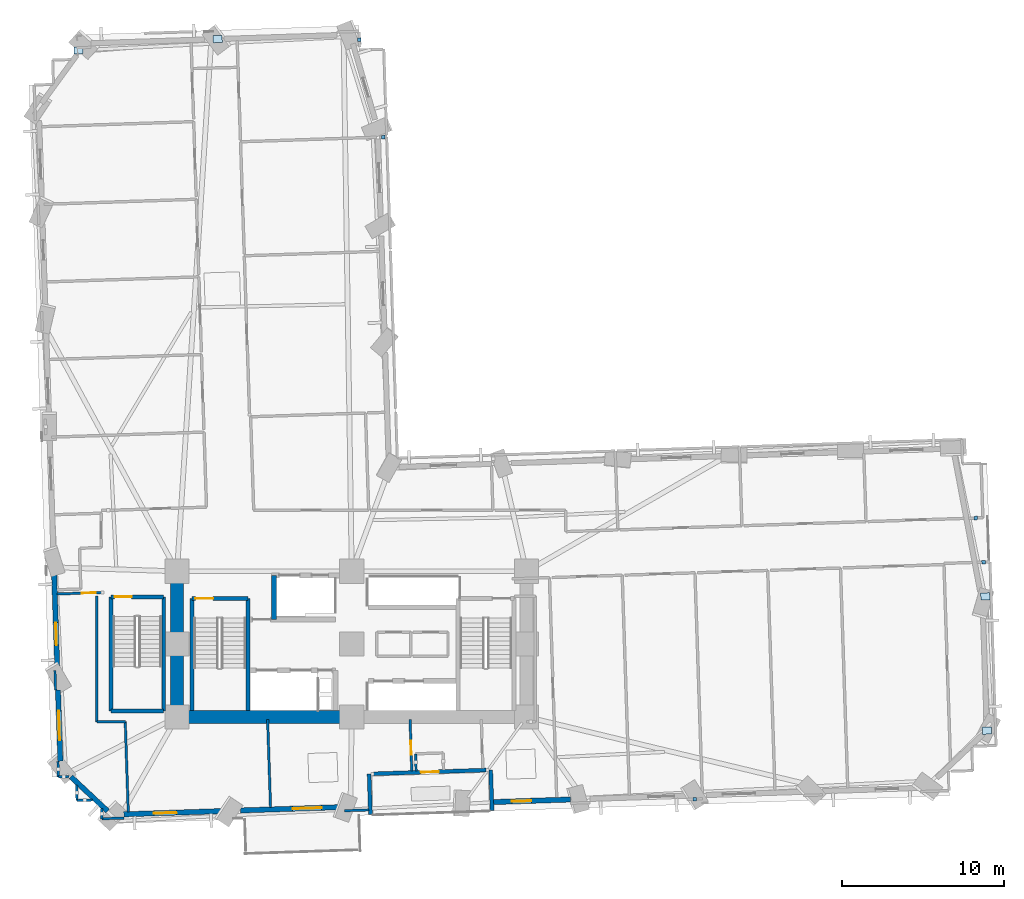
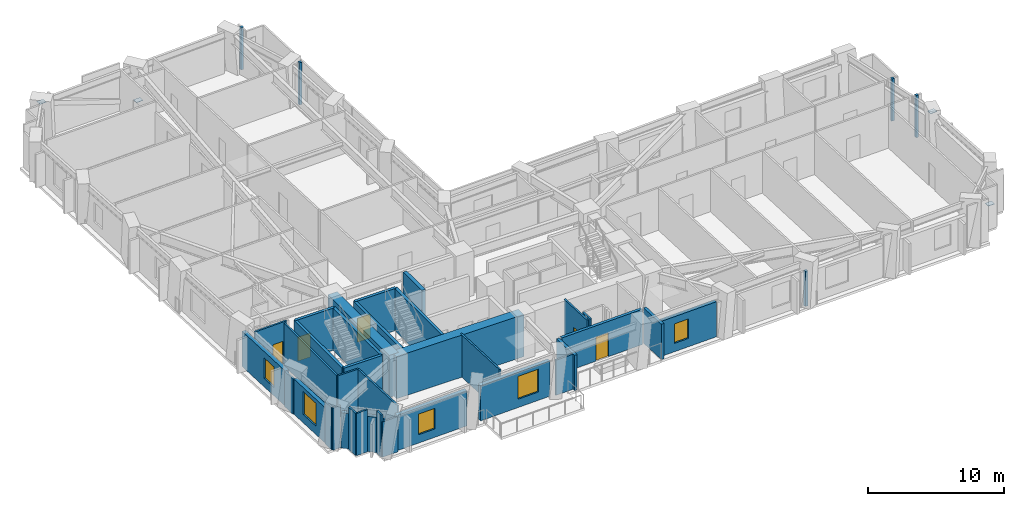
# One storey, part 5 of 14: 34 walls, 9 plates, 5 doors, 5 windows, 10 openings.
"""IFC4 building model written with IfcOpenShell, lengths in metres."""

from ifc_helpers import new_model, si_unit, direction, frame, frame_2d, origin, origin_2d, place, context, subcontext, project, spatial, rectangle, extrude, material, layer, layer_set, type_object, element, fill, save


model = new_model("IFC4")

# Units and contexts
model_context = context("Model", 3, precision=1e-05, world=origin(), true_north=direction((0.0, 1.0)))
body_context = subcontext(model_context, "Body", "Model", "MODEL_VIEW")
ifc_project = project(units=[si_unit("LENGTHUNIT", "METRE"), si_unit("AREAUNIT", "SQUARE_METRE"), si_unit("VOLUMEUNIT", "CUBIC_METRE"), si_unit("PLANEANGLEUNIT", "RADIAN"), si_unit("MASSUNIT", "GRAM", prefix="KILO")], contexts=[model_context])

# Site, building, storey
site_placement = place(None, origin())
site = spatial("IfcSite", under=ifc_project, at=site_placement, CompositionType="ELEMENT")
building_placement = place(site_placement, origin())
building = spatial("IfcBuilding", under=site, at=building_placement, Name="Gaonmaruhae Medical Tower", CompositionType="ELEMENT")
storey_placement = place(building_placement, frame((0.0, 0.0, 31.0)))
storey = spatial("IfcBuildingStorey", under=building, at=storey_placement, Name="L06", CompositionType="ELEMENT", Elevation=31.0)

# Plates
ifc_material_1 = material(Name="Steel HSA650 (650 MPa)", Category="steel")
ifc_layer_1 = layer(ifc_material_1, 0.028076171875)
ifc_layer_set_1 = layer_set([ifc_layer_1], Name="Steel HSA650 (650 MPa)")
plate_type_1 = type_object("IfcPlateType", Name="GP-02 Tube Brace End Cap Gusset Plate", PredefinedType="USERDEFINED", material=ifc_layer_set_1)
for number, where, z_axis, x_axis, name in (
    (1, (64.05859375, 6.949951171875, 0.23583984375), (0.0, 0.0, 1.0), (0.999450215942, 0.033155178389, 0.0), "L06 Gusset Cap Plate PLT-L06-PBR-E01A"),
    (2, (63.96240234375, 15.247802734375, 3.51611328125), (0.0, 0.0, 1.0), (0.998763127564, 0.049721373869, 0.0), "L06 Gusset Cap Plate PLT-L06-PBR-E01B"),
    (3, (16.51513671875, 49.697265625, 0.23583984375), (0.0, 0.0, 1.0), (0.999450215942, 0.033155178389, 0.0), "L06 Gusset Cap Plate PLT-L06-PBR-N02A"),
    (4, (7.914794921875, 49.0029296875, 3.51611328125), (0.0, 0.0, 1.0), (0.998763127564, 0.049721373869, 0.0), "L06 Gusset Cap Plate PLT-L06-PBR-N02B"),
):
    element("IfcPlate", number, at=place(storey_placement, frame(where, z_axis=z_axis, x_axis=x_axis)), inside=storey, type_object=plate_type_1, Name=name, ObjectType="GUSSET_PLATE", PredefinedType="USERDEFINED", context=body_context, shape_type="SweptSolid", body=[
        extrude(rectangle(XDim=0.56005859375, YDim=0.43994140625, at=origin_2d()), origin(), (0.0, 0.0, 1.0), 0.028076171875),
    ])
ifc_material_2 = material(Name="Anodised aluminium 6063-T6", Category="aluminium")
ifc_layer_2 = layer(ifc_material_2, 0.011962890625)
ifc_layer_set_2 = layer_set([ifc_layer_2], Name="Anodised aluminium 6063-T6")
plate_type_2 = type_object("IfcPlateType", Name="PP-01 Interior Partition Corner Stiffener Plate", PredefinedType="SHEET", material=ifc_layer_set_2)
plate_placement = place(storey_placement, frame((46.0009765625, 2.718994140625, 0.0), z_axis=(0.0, 0.0, 1.0), x_axis=(-0.999440334609, -0.033451719773, 0.0)))
element("IfcPlate", 5, at=plate_placement, inside=storey, type_object=plate_type_2, Name="L06 Partition Corner Stiffener Plate PLT-L06-JGP-PW039", PredefinedType="SHEET", context=body_context, shape_type="SweptSolid", body=[
    extrude(rectangle(XDim=0.219970703125, YDim=0.219970703125, at=origin_2d()), origin(), (0.0, 0.0, 1.0), 3.1650390625),
])
for number, where, z_axis, x_axis, name in (
    (6, (63.37109375, 20.094482421875, 0.0), (0.0, 0.0, 1.0), (-0.999460009288, -0.032858634085, 0.0), "L06 Partition Corner Stiffener Plate PLT-L06-JGP-PW098"),
    (7, (26.740478515625, 43.6435546875, 0.0), (0.0, 0.0, 1.0), (0.99947085067, 0.032527198794, 0.0), "L06 Partition Corner Stiffener Plate PLT-L06-JGP-PW107"),
    (8, (25.27099609375, 49.6689453125, 0.0), (0.0, 0.0, 1.0), (0.032736526765, -0.999464016268, 0.0), "L06 Partition Corner Stiffener Plate PLT-L06-JGP-PW112"),
    (9, (63.85400390625, 17.369384765625, 0.0), (0.0, 0.0, 1.0), (0.99945598739, 0.032980740915, 0.0), "L06 Partition Corner Stiffener Plate PLT-L06-JGP-PW121"),
):
    element("IfcPlate", number, at=place(storey_placement, frame(where, z_axis=z_axis, x_axis=x_axis)), inside=storey, type_object=plate_type_2, Name=name, PredefinedType="SHEET", context=body_context, shape_type="SweptSolid", body=[
        extrude(rectangle(XDim=0.219970703125, YDim=0.219970703125, at=origin_2d()), origin(), (0.0, 0.0, 1.0), 3.780029296875),
    ])

# Walls
ifc_material_3 = material(Name="Concrete C60/75", Category="concrete")
ifc_layer_3 = layer(ifc_material_3, 0.800048828125)
ifc_layer_set_3 = layer_set([ifc_layer_3], Name="Concrete C60/75")
wall_type_1 = type_object("IfcWallType", Name="CW-800 Lower Core Shear Wall", PredefinedType="SHEAR", material=ifc_layer_set_3)
wall_1_placement = place(storey_placement, frame((14.0, 7.800048828125, 0.0), z_axis=(0.0, 0.0, 1.0), x_axis=(1.0, 0.0, 0.0)))
element("IfcWall", 10, at=wall_1_placement, inside=storey, type_object=wall_type_1, Name="L06 Core Shear Wall CSW-S1", PredefinedType="SHEAR", context=body_context, shape_type="SweptSolid", body=[
    extrude(rectangle(XDim=10.800048828125, YDim=0.800048828125, at=frame_2d((5.39990234375, 0.0))), origin(), (0.0, 0.0, 1.0), 3.780029296875),
])
wall_2_placement = place(storey_placement, frame((14.0, 16.800048828125, 0.0), z_axis=(0.0, 0.0, 1.0), x_axis=(0.0, -1.0, 0.0)))
element("IfcWall", 11, at=wall_2_placement, inside=storey, type_object=wall_type_1, Name="L06 Core Shear Wall CSW-W1", PredefinedType="SHEAR", context=body_context, shape_type="SweptSolid", body=[
    extrude(rectangle(XDim=9.0, YDim=0.800048828125, at=frame_2d((4.5, 0.0))), origin(), (0.0, 0.0, 1.0), 3.780029296875),
])

# Wall, opening, door
ifc_material_4 = material(Name="Precast concrete C45/55", Category="concrete")
ifc_layer_4 = layer(ifc_material_4, 0.239990234375)
ifc_layer_set_4 = layer_set([ifc_layer_4], Name="Precast concrete C45/55")
wall_type_2 = type_object("IfcWallType", Name="EW-240 Ribbon & Shelter Insulated Precast Wall", PredefinedType="SOLIDWALL", material=ifc_layer_set_4)
wall_3_placement = place(storey_placement, frame((33.1103515625, 4.5126953125, 0.0), z_axis=(0.0, 0.0, 1.0), x_axis=(-0.999450421649, -0.033148976852, 0.0)))
wall_3 = element("IfcWall", 12, at=wall_3_placement, inside=storey, type_object=wall_type_2, Name="L06 Recessed Terrace Enclosure Wall TERB", PredefinedType="SOLIDWALL", context=body_context, shape_type="SweptSolid", body=[
    extrude(rectangle(XDim=6.9599609375, YDim=0.239990234375, at=frame_2d((3.47998046875, 0.0))), origin(), (0.0, 0.0, 1.0), 3.1650390625),
])
opening_1_placement = place(wall_3_placement, frame((2.929931640625, 0.0, 0.0)))
opening_1 = element("IfcOpeningElement", 13, at=opening_1_placement, cuts=wall_3, Name="Opening TD-01", PredefinedType="OPENING", context=body_context, shape_type="SweptSolid", body=[
    extrude(rectangle(XDim=1.10009765625, YDim=2.14990234375, at=frame_2d((0.550048828125, 1.074951171875))), frame((0.0, 0.1298828125, 0.0), z_axis=(0.0, -1.0, 0.0), x_axis=(1.0, 0.0, 0.0)), (0.0, 0.0, 1.0), 0.260009765625),
])
ifc_material_5 = material(Name="Anodised aluminium and toughened safety glass", Category="aluminium")
door_type_1 = type_object("IfcDoorType", Name="TD-01 Terrace & Sky Garden Glazed Door 1100x2150", OperationType="NOTDEFINED", PredefinedType="DOOR", material=ifc_material_5)
door_1_placement = place(opening_1_placement, origin())
door_1 = element("IfcDoor", 14, at=door_1_placement, inside=storey, type_object=door_type_1, Name="L06 Outdoor Terrace Access Door SLB-L06-TER", OperationType="SINGLE_SWING_RIGHT", OverallHeight=2.14990234375, OverallWidth=1.10009765625, PredefinedType="DOOR", context=body_context, shape_type="SweptSolid", body=[
    extrude(rectangle(XDim=1.10009765625, YDim=2.14990234375, at=frame_2d((0.550048828125, 1.074951171875))), frame((0.0, 0.02490234375, 0.0), z_axis=(0.0, -1.0, 0.0), x_axis=(1.0, 0.0, 0.0)), (0.0, 0.0, 1.0), 0.050048828125),
])
fill(opening_1, door_1)

# Walls
for number, where, z_axis, x_axis, name in (
    (15, (25.874267578125, 4.272705078125, 0.0), (0.0, 0.0, 1.0), (0.033201031352, -0.999448693789, 0.0), "L06 Recessed Terrace Enclosure Wall TERL"),
    (16, (33.47314453125, 2.023193359375, 0.0), (0.0, 0.0, 1.0), (-0.033201031352, 0.999448693789, 0.0), "L06 Recessed Terrace Enclosure Wall TERR"),
):
    element("IfcWall", number, at=place(storey_placement, frame(where, z_axis=z_axis, x_axis=x_axis)), inside=storey, type_object=wall_type_2, Name=name, PredefinedType="SOLIDWALL", context=body_context, shape_type="SweptSolid", body=[
        extrude(rectangle(XDim=2.500244140625, YDim=0.239990234375, at=frame_2d((1.25, 0.0))), origin(), (0.0, 0.0, 1.0), 3.1650390625),
    ])

# Wall, opening, window
ifc_layer_5 = layer(ifc_material_4, 0.320068359375)
ifc_layer_set_5 = layer_set([ifc_layer_5], Name="Precast concrete C45/55")
wall_type_3 = type_object("IfcWallType", Name="EW-320 Lower Precast Masonry-Frame Facade Wall", PredefinedType="SOLIDWALL", material=ifc_layer_set_5)
wall_4_placement = place(storey_placement, frame((16.74169921875, 1.978515625, 0.0), z_axis=(0.0, 0.0, 1.0), x_axis=(-0.999449522474, -0.033176076121, 0.0)))
wall_4 = element("IfcWall", 17, at=wall_4_placement, inside=storey, type_object=wall_type_3, Name="L06 Precast Masonry-Frame Wall S01-S02", PredefinedType="SOLIDWALL", context=body_context, shape_type="SweptSolid", body=[
    extrude(rectangle(XDim=6.034423828125, YDim=0.320068359375, at=frame_2d((3.01708984375, 0.0))), origin(), (0.0, 0.0, 1.0), 3.1650390625),
])
opening_2_placement = place(wall_4_placement, frame((2.7744140625, 0.0, 0.75)))
opening_2 = element("IfcOpeningElement", 18, at=opening_2_placement, cuts=wall_4, Name="Opening WN-03", PredefinedType="OPENING", context=body_context, shape_type="SweptSolid", body=[
    extrude(rectangle(XDim=1.39990234375, YDim=1.85009765625, at=frame_2d((0.699951171875, 0.925048828125))), frame((0.0, 0.169921875, 0.0), z_axis=(0.0, -1.0, 0.0), x_axis=(1.0, 0.0, 0.0)), (0.0, 0.0, 1.0), 0.340087890625),
])
ifc_material_6 = material(Name="Anodised aluminium and Low-E double glazing", Category="aluminium")
window_type_1 = type_object("IfcWindowType", Name="WN-03 Isolation Ward Punched Window 1400x1850", PartitioningType="SINGLE_PANEL", PredefinedType="WINDOW", material=ifc_material_6)
window_1_placement = place(opening_2_placement, origin())
window_1 = element("IfcWindow", 19, at=window_1_placement, inside=storey, type_object=window_type_1, Name="L06 Modular Facade Window S01", OverallHeight=1.85009765625, OverallWidth=1.39990234375, PartitioningType="SINGLE_PANEL", PredefinedType="WINDOW", context=body_context, shape_type="SweptSolid", body=[
    extrude(rectangle(XDim=1.39990234375, YDim=1.85009765625, at=frame_2d((0.699951171875, 0.925048828125))), frame((0.0, 0.030029296875, 0.0), z_axis=(0.0, -1.0, 0.0), x_axis=(1.0, 0.0, 0.0)), (0.0, 0.0, 1.0), 0.06005859375),
])
fill(opening_2, window_1)

wall_5_placement = place(storey_placement, frame((23.92626953125, 2.216796875, 0.0), z_axis=(0.0, 0.0, 1.0), x_axis=(-0.999449723899, -0.033170007512, 0.0)))
wall_5 = element("IfcWall", 20, at=wall_5_placement, inside=storey, type_object=wall_type_3, Name="L06 Precast Masonry-Frame Wall S02-S03", PredefinedType="SOLIDWALL", context=body_context, shape_type="SweptSolid", body=[
    extrude(rectangle(XDim=6.006103515625, YDim=0.320068359375, at=frame_2d((3.0029296875, 0.0))), origin(), (0.0, 0.0, 1.0), 3.1650390625),
])
opening_3_placement = place(wall_5_placement, frame((0.987548828125, 0.0, 0.75)))
opening_3 = element("IfcOpeningElement", 21, at=opening_3_placement, cuts=wall_5, Name="Opening WN-04", PredefinedType="OPENING", context=body_context, shape_type="SweptSolid", body=[
    extrude(rectangle(XDim=1.800048828125, YDim=2.050048828125, at=frame_2d((0.89990234375, 1.02490234375))), frame((0.0, 0.169921875, 0.0), z_axis=(0.0, -1.0, 0.0), x_axis=(1.0, 0.0, 0.0)), (0.0, 0.0, 1.0), 0.340087890625),
])
window_type_2 = type_object("IfcWindowType", Name="WN-04 Clinic & Consult Punched Window 1800x2050", PartitioningType="SINGLE_PANEL", PredefinedType="WINDOW", material=ifc_material_6)
window_2_placement = place(opening_3_placement, origin())
window_2 = element("IfcWindow", 22, at=window_2_placement, inside=storey, type_object=window_type_2, Name="L06 Modular Facade Window S02", OverallHeight=2.050048828125, OverallWidth=1.800048828125, PartitioningType="SINGLE_PANEL", PredefinedType="WINDOW", context=body_context, shape_type="SweptSolid", body=[
    extrude(rectangle(XDim=1.800048828125, YDim=2.050048828125, at=frame_2d((0.89990234375, 1.02490234375))), frame((0.0, 0.030029296875, 0.0), z_axis=(0.0, -1.0, 0.0), x_axis=(1.0, 0.0, 0.0)), (0.0, 0.0, 1.0), 0.06005859375),
])
fill(opening_3, window_2)

wall_6_placement = place(storey_placement, frame((38.31298828125, 2.694091796875, 0.0), z_axis=(0.0, 0.0, 1.0), x_axis=(-0.999450547825, -0.033145172375, 0.0)))
wall_6 = element("IfcWall", 23, at=wall_6_placement, inside=storey, type_object=wall_type_3, Name="L06 Precast Masonry-Frame Wall S04-S05", PredefinedType="SOLIDWALL", context=body_context, shape_type="SweptSolid", body=[
    extrude(rectangle(XDim=4.83935546875, YDim=0.320068359375, at=frame_2d((2.419677734375, 0.0))), origin(), (0.0, 0.0, 1.0), 3.14501953125),
])
opening_4_placement = place(wall_6_placement, frame((2.41845703125, 0.0, 0.75)))
opening_4 = element("IfcOpeningElement", 24, at=opening_4_placement, cuts=wall_6, Name="Opening WN-05", PredefinedType="OPENING", context=body_context, shape_type="SweptSolid", body=[
    extrude(rectangle(XDim=1.199951171875, YDim=1.75, at=frame_2d((0.60009765625, 0.875))), frame((0.0, 0.169921875, 0.0), z_axis=(0.0, -1.0, 0.0), x_axis=(1.0, 0.0, 0.0)), (0.0, 0.0, 1.0), 0.340087890625),
])
window_type_3 = type_object("IfcWindowType", Name="WN-05 Support & Staff Punched Window 1200x1750", PartitioningType="SINGLE_PANEL", PredefinedType="WINDOW", material=ifc_material_6)
window_3_placement = place(opening_4_placement, origin())
window_3 = element("IfcWindow", 25, at=window_3_placement, inside=storey, type_object=window_type_3, Name="L06 Modular Facade Window S04", OverallHeight=1.75, OverallWidth=1.199951171875, PartitioningType="SINGLE_PANEL", PredefinedType="WINDOW", context=body_context, shape_type="SweptSolid", body=[
    extrude(rectangle(XDim=1.199951171875, YDim=1.75, at=frame_2d((0.60009765625, 0.875))), frame((0.0, 0.030029296875, 0.0), z_axis=(0.0, -1.0, 0.0), x_axis=(1.0, 0.0, 0.0)), (0.0, 0.0, 1.0), 0.06005859375),
])
fill(opening_4, window_3)

wall_7_placement = place(storey_placement, frame((6.603759765625, 10.66748046875, 0.0), z_axis=(0.0, 0.0, 1.0), x_axis=(-0.033177928016, 0.999449461, 0.0)))
wall_7 = element("IfcWall", 26, at=wall_7_placement, inside=storey, type_object=wall_type_3, Name="L06 Precast Masonry-Frame Wall W05-W06", PredefinedType="SOLIDWALL", context=body_context, shape_type="SweptSolid", body=[
    extrude(rectangle(XDim=5.997314453125, YDim=0.320068359375, at=frame_2d((2.99853515625, 0.0))), origin(), (0.0, 0.0, 1.0), 3.1650390625),
])
opening_5_placement = place(wall_7_placement, frame((1.562255859375, 0.0, 0.75)))
opening_5 = element("IfcOpeningElement", 27, at=opening_5_placement, cuts=wall_7, Name="Opening WN-03", PredefinedType="OPENING", context=body_context, shape_type="SweptSolid", body=[
    extrude(rectangle(XDim=1.39990234375, YDim=1.85009765625, at=frame_2d((0.699951171875, 0.925048828125))), frame((0.0, 0.169921875, 0.0), z_axis=(0.0, -1.0, 0.0), x_axis=(1.0, 0.0, 0.0)), (0.0, 0.0, 1.0), 0.340087890625),
])
window_4_placement = place(opening_5_placement, origin())
window_4 = element("IfcWindow", 28, at=window_4_placement, inside=storey, type_object=window_type_1, Name="L06 Modular Facade Window W05", OverallHeight=1.85009765625, OverallWidth=1.39990234375, PartitioningType="SINGLE_PANEL", PredefinedType="WINDOW", context=body_context, shape_type="SweptSolid", body=[
    extrude(rectangle(XDim=1.39990234375, YDim=1.85009765625, at=frame_2d((0.699951171875, 0.925048828125))), frame((0.0, 0.030029296875, 0.0), z_axis=(0.0, -1.0, 0.0), x_axis=(1.0, 0.0, 0.0)), (0.0, 0.0, 1.0), 0.06005859375),
])
fill(opening_5, window_4)

wall_8_placement = place(storey_placement, frame((6.789794921875, 5.060302734375, 0.0), z_axis=(0.0, 0.0, 1.0), x_axis=(-0.033169414577, 0.999449743577, 0.0)))
wall_8 = element("IfcWall", 29, at=wall_8_placement, inside=storey, type_object=wall_type_3, Name="L06 Precast Masonry-Frame Wall W06-W07", PredefinedType="SOLIDWALL", context=body_context, shape_type="SweptSolid", body=[
    extrude(rectangle(XDim=4.416259765625, YDim=0.320068359375, at=frame_2d((2.2080078125, 0.0))), origin(), (0.0, 0.0, 1.0), 3.1650390625),
])
opening_6_placement = place(wall_8_placement, frame((1.310546875, 0.0, 0.75)))
opening_6 = element("IfcOpeningElement", 30, at=opening_6_placement, cuts=wall_8, Name="Opening WN-04", PredefinedType="OPENING", context=body_context, shape_type="SweptSolid", body=[
    extrude(rectangle(XDim=1.800048828125, YDim=2.050048828125, at=frame_2d((0.89990234375, 1.02490234375))), frame((0.0, 0.169921875, 0.0), z_axis=(0.0, -1.0, 0.0), x_axis=(1.0, 0.0, 0.0)), (0.0, 0.0, 1.0), 0.340087890625),
])
window_5_placement = place(opening_6_placement, origin())
window_5 = element("IfcWindow", 31, at=window_5_placement, inside=storey, type_object=window_type_2, Name="L06 Modular Facade Window W06", OverallHeight=2.050048828125, OverallWidth=1.800048828125, PartitioningType="SINGLE_PANEL", PredefinedType="WINDOW", context=body_context, shape_type="SweptSolid", body=[
    extrude(rectangle(XDim=1.800048828125, YDim=2.050048828125, at=frame_2d((0.89990234375, 1.02490234375))), frame((0.0, 0.030029296875, 0.0), z_axis=(0.0, -1.0, 0.0), x_axis=(1.0, 0.0, 0.0)), (0.0, 0.0, 1.0), 0.06005859375),
])
fill(opening_6, window_5)

# Wall
wall_9_placement = place(storey_placement, frame((9.70703125, 1.981689453125, 0.0), z_axis=(0.0, 0.0, 1.0), x_axis=(-0.730192805604, 0.683241148237, 0.0)))
element("IfcWall", 32, at=wall_9_placement, inside=storey, type_object=wall_type_3, Name="L06 Precast Masonry-Frame Wall W07-S01", PredefinedType="SOLIDWALL", context=body_context, shape_type="SweptSolid", body=[
    extrude(rectangle(XDim=3.09912109375, YDim=0.320068359375, at=frame_2d((1.549560546875, 0.0))), origin(), (0.0, 0.0, 1.0), 3.1650390625),
])

# Wall, opening, door
ifc_material_7 = material(Name="Gypsum board partition", Category="gypsum")
ifc_layer_6 = layer(ifc_material_7, 0.14990234375)
ifc_layer_set_6 = layer_set([ifc_layer_6], Name="Gypsum board partition")
wall_type_4 = type_object("IfcWallType", Name="PW-150 Rated Clinical Corridor Partition", PredefinedType="PARTITIONING", material=ifc_layer_set_6)
wall_10_placement = place(storey_placement, frame((6.58203125, 15.39892578125, 0.0), z_axis=(0.0, 0.0, 1.0), x_axis=(0.999447376951, 0.033240648382, 0.0)))
wall_10 = element("IfcWall", 33, at=wall_10_placement, inside=storey, type_object=wall_type_4, Name="L06 Interior Partition L06-SUP01-8", PredefinedType="PARTITIONING", context=body_context, shape_type="SweptSolid", body=[
    extrude(rectangle(XDim=2.739501953125, YDim=0.14990234375, at=frame_2d((1.36962890625, 0.0))), origin(), (0.0, 0.0, 1.0), 3.780029296875),
])
opening_7_placement = place(wall_10_placement, frame((1.533447265625, 0.0, 0.0)))
opening_7 = element("IfcOpeningElement", 34, at=opening_7_placement, cuts=wall_10, Name="Opening AD-01", PredefinedType="OPENING", context=body_context, shape_type="SweptSolid", body=[
    extrude(rectangle(XDim=0.860107421875, YDim=2.06005859375, at=frame_2d((0.43017578125, 1.030029296875))), frame((0.0, 0.0849609375, 0.0), z_axis=(0.0, -1.0, 0.0), x_axis=(1.0, 0.0, 0.0)), (0.0, 0.0, 1.0), 0.169921875),
])
ifc_material_8 = material(Name="Powder-coated steel access door", Category="steel")
door_type_2 = type_object("IfcDoorType", Name="AD-01 Riser & Closet Access Fire Door 860x2060", OperationType="NOTDEFINED", PredefinedType="DOOR", material=ifc_material_8)
door_2_placement = place(opening_7_placement, origin())
door_2 = element("IfcDoor", 35, at=door_2_placement, inside=storey, type_object=door_type_2, Name="L06 Clinical Biomedical Charting Office Sliding Door", OperationType="SLIDING_TO_LEFT", OverallHeight=2.06005859375, OverallWidth=0.860107421875, PredefinedType="DOOR", context=body_context, shape_type="SweptSolid", body=[
    extrude(rectangle(XDim=0.860107421875, YDim=2.06005859375, at=frame_2d((0.43017578125, 1.030029296875))), frame((0.0, 0.02490234375, 0.0), z_axis=(0.0, -1.0, 0.0), x_axis=(1.0, 0.0, 0.0)), (0.0, 0.0, 1.0), 0.050048828125),
])
fill(opening_7, door_2)

# Walls
wall_11_placement = place(storey_placement, frame((9.050048828125, 15.260009765625, 0.0), z_axis=(0.0, 0.0, 1.0), x_axis=(0.0, -1.0, 0.0)))
element("IfcWall", 36, at=wall_11_placement, inside=storey, type_object=wall_type_4, Name="L06 Interior Partition L06-SUP01-9", PredefinedType="PARTITIONING", context=body_context, shape_type="SweptSolid", body=[
    extrude(rectangle(XDim=7.760009765625, YDim=0.14990234375, at=frame_2d((3.8798828125, 0.0))), origin(), (0.0, 0.0, 1.0), 3.780029296875),
])
wall_12_placement = place(storey_placement, frame((9.050048828125, 7.5, 0.0), z_axis=(0.0, 0.0, 1.0), x_axis=(1.0, 0.0, 0.0)))
element("IfcWall", 37, at=wall_12_placement, inside=storey, type_object=wall_type_4, Name="L06 Interior Partition L06-SUP01-10", PredefinedType="PARTITIONING", context=body_context, shape_type="SweptSolid", body=[
    extrude(rectangle(XDim=1.7509765625, YDim=0.14990234375, at=frame_2d((0.87548828125, 0.0))), origin(), (0.0, 0.0, 1.0), 3.780029296875),
])
wall_13_placement = place(storey_placement, frame((10.801025390625, 7.5, 0.0), z_axis=(0.0, 0.0, 1.0), x_axis=(0.03316477793, -0.999449897446, 0.0)))
element("IfcWall", 38, at=wall_13_placement, inside=storey, type_object=wall_type_4, Name="L06 Interior Partition L06-SUP01-11", PredefinedType="PARTITIONING", context=body_context, shape_type="SweptSolid", body=[
    extrude(rectangle(XDim=5.580078125, YDim=0.14990234375, at=frame_2d((2.7900390625, 0.0))), origin(), (0.0, 0.0, 1.0), 3.780029296875),
])
wall_14_placement = place(storey_placement, frame((10.718017578125, 1.549072265625, 0.0), z_axis=(0.0, 0.0, 1.0), x_axis=(-0.999424194326, -0.033930514232, 0.0)))
element("IfcWall", 39, at=wall_14_placement, inside=storey, type_object=wall_type_4, Name="L06 Interior Partition L06-SUP01-12", PredefinedType="PARTITIONING", context=body_context, shape_type="SweptSolid", body=[
    extrude(rectangle(XDim=1.35986328125, YDim=0.14990234375, at=frame_2d((0.679931640625, 0.0))), origin(), (0.0, 0.0, 1.0), 3.1650390625),
])
wall_15_placement = place(storey_placement, frame((9.35888671875, 1.5029296875, 0.0), z_axis=(0.0, 0.0, 1.0), x_axis=(-0.032831793986, 0.999460891333, 0.0)))
element("IfcWall", 40, at=wall_15_placement, inside=storey, type_object=wall_type_4, Name="L06 Interior Partition L06-SUP01-13", PredefinedType="PARTITIONING", context=body_context, shape_type="SweptSolid", body=[
    extrude(rectangle(XDim=0.639404296875, YDim=0.14990234375, at=frame_2d((0.31982421875, 0.0))), origin(), (0.0, 0.0, 1.0), 3.780029296875),
])
wall_16_placement = place(storey_placement, frame((8.779052734375, 2.6650390625, 0.0), z_axis=(0.0, 0.0, 1.0), x_axis=(-0.999443209568, -0.033365713673, 0.0)))
element("IfcWall", 41, at=wall_16_placement, inside=storey, type_object=wall_type_4, Name="L06 Interior Partition L06-SUP01-14", PredefinedType="PARTITIONING", context=body_context, shape_type="SweptSolid", body=[
    extrude(rectangle(XDim=0.95849609375, YDim=0.14990234375, at=frame_2d((0.479248046875, 0.0))), origin(), (0.0, 0.0, 1.0), 3.780029296875),
])
wall_17_placement = place(storey_placement, frame((7.821044921875, 2.633056640625, 0.0), z_axis=(0.0, 0.0, 1.0), x_axis=(-0.033331774136, 0.999444342039, 0.0)))
element("IfcWall", 42, at=wall_17_placement, inside=storey, type_object=wall_type_4, Name="L06 Interior Partition L06-SUP01-15", PredefinedType="PARTITIONING", context=body_context, shape_type="SweptSolid", body=[
    extrude(rectangle(XDim=0.95947265625, YDim=0.14990234375, at=frame_2d((0.479736328125, 0.0))), origin(), (0.0, 0.0, 1.0), 3.780029296875),
])
wall_18_placement = place(storey_placement, frame((7.31103515625, 4.116943359375, 0.0), z_axis=(0.0, 0.0, 1.0), x_axis=(-0.999460479582, -0.032844326039, 0.0)))
element("IfcWall", 43, at=wall_18_placement, inside=storey, type_object=wall_type_4, Name="L06 Interior Partition L06-SUP01-16", PredefinedType="PARTITIONING", context=body_context, shape_type="SweptSolid", body=[
    extrude(rectangle(XDim=0.63916015625, YDim=0.14990234375, at=frame_2d((0.319580078125, 0.0))), origin(), (0.0, 0.0, 1.0), 3.780029296875),
])
wall_19_placement = place(storey_placement, frame((6.672119140625, 4.095947265625, 0.0), z_axis=(0.0, 0.0, 1.0), x_axis=(-0.033585929233, 0.999435833537, 0.0)))
element("IfcWall", 44, at=wall_19_placement, inside=storey, type_object=wall_type_4, Name="L06 Interior Partition L06-SUP01-17", PredefinedType="PARTITIONING", context=body_context, shape_type="SweptSolid", body=[
    extrude(rectangle(XDim=0.95947265625, YDim=0.14990234375, at=frame_2d((0.479736328125, 0.0))), origin(), (0.0, 0.0, 1.0), 3.780029296875),
])
wall_20_placement = place(storey_placement, frame((6.493896484375, 9.468994140625, 0.0), z_axis=(0.0, 0.0, 1.0), x_axis=(-0.033308026334, 0.999445133753, 0.0)))
element("IfcWall", 45, at=wall_20_placement, inside=storey, type_object=wall_type_4, Name="L06 Interior Partition L06-SUP01-18", PredefinedType="PARTITIONING", context=body_context, shape_type="SweptSolid", body=[
    extrude(rectangle(XDim=1.19482421875, YDim=0.14990234375, at=frame_2d((0.597412109375, 0.0))), origin(), (0.0, 0.0, 1.0), 3.1650390625),
])
wall_21_placement = place(storey_placement, frame((19.60107421875, 7.639892578125, 0.0), z_axis=(0.0, 0.0, 1.0), x_axis=(0.033144127038, -0.999450582492, 0.0)))
element("IfcWall", 46, at=wall_21_placement, inside=storey, type_object=wall_type_4, Name="L06 Interior Partition L06-SUP03-21", PredefinedType="PARTITIONING", context=body_context, shape_type="SweptSolid", body=[
    extrude(rectangle(XDim=5.4287109375, YDim=0.14990234375, at=frame_2d((2.71435546875, 0.0))), origin(), (0.0, 0.0, 1.0), 3.780029296875),
])
wall_22_placement = place(storey_placement, frame((25.85302734375, 2.051025390625, 0.0), z_axis=(0.0, 0.0, 1.0), x_axis=(-0.999445267539, -0.033304011678, 0.0)))
element("IfcWall", 47, at=wall_22_placement, inside=storey, type_object=wall_type_4, Name="L06 Interior Partition L06-SUP05-23", PredefinedType="PARTITIONING", context=body_context, shape_type="SweptSolid", body=[
    extrude(rectangle(XDim=1.502685546875, YDim=0.14990234375, at=frame_2d((0.75146484375, 0.0))), origin(), (0.0, 0.0, 1.0), 3.14501953125),
])

# Wall, opening, door
wall_23_placement = place(storey_placement, frame((28.406005859375, 7.639892578125, 0.0), z_axis=(0.0, 0.0, 1.0), x_axis=(0.033251054915, -0.999447030786, 0.0)))
wall_23 = element("IfcWall", 48, at=wall_23_placement, inside=storey, type_object=wall_type_4, Name="L06 Interior Partition L06-SUP05-24", PredefinedType="PARTITIONING", context=body_context, shape_type="SweptSolid", body=[
    extrude(rectangle(XDim=3.1865234375, YDim=0.14990234375, at=frame_2d((1.59326171875, 0.0))), origin(), (0.0, 0.0, 1.0), 3.780029296875),
])
opening_8_placement = place(wall_23_placement, frame((1.3134765625, 0.0, 0.0)))
opening_8 = element("IfcOpeningElement", 49, at=opening_8_placement, cuts=wall_23, Name="Opening AD-01", PredefinedType="OPENING", context=body_context, shape_type="SweptSolid", body=[
    extrude(rectangle(XDim=0.860107421875, YDim=2.06005859375, at=frame_2d((0.43017578125, 1.030029296875))), frame((0.0, 0.0849609375, 0.0), z_axis=(0.0, -1.0, 0.0), x_axis=(1.0, 0.0, 0.0)), (0.0, 0.0, 1.0), 0.169921875),
])
door_3_placement = place(opening_8_placement, origin())
door_3 = element("IfcDoor", 50, at=door_3_placement, inside=storey, type_object=door_type_2, Name="L06 Clinical Biomedical Charting Office Sliding Door", OperationType="SLIDING_TO_LEFT", OverallHeight=2.06005859375, OverallWidth=0.860107421875, PredefinedType="DOOR", context=body_context, shape_type="SweptSolid", body=[
    extrude(rectangle(XDim=0.860107421875, YDim=2.06005859375, at=frame_2d((0.43017578125, 1.030029296875))), frame((0.0, 0.02490234375, 0.0), z_axis=(0.0, -1.0, 0.0), x_axis=(1.0, 0.0, 0.0)), (0.0, 0.0, 1.0), 0.050048828125),
])
fill(opening_8, door_3)

# Wall
wall_24_placement = place(storey_placement, frame((28.7451171875, 5.51806640625, 0.0), z_axis=(0.0, 0.0, 1.0), x_axis=(0.032181608355, -0.999482037899, 0.0)))
element("IfcWall", 51, at=wall_24_placement, inside=storey, type_object=wall_type_4, Name="L06 Interior Partition L06-SUP06-28", PredefinedType="PARTITIONING", context=body_context, shape_type="SweptSolid", body=[
    extrude(rectangle(XDim=1.054443359375, YDim=0.14990234375, at=frame_2d((0.52734375, 0.0))), origin(), (0.0, 0.0, 1.0), 3.780029296875),
])

# Wall, opening, door
ifc_material_9 = material(Name="Concrete C50/60", Category="concrete")
ifc_layer_7 = layer(ifc_material_9, 0.239990234375)
ifc_layer_set_7 = layer_set([ifc_layer_7], Name="Concrete C50/60")
wall_type_5 = type_object("IfcWallType", Name="SW-240 Dogleg Stair Tight Shaft Wall", PredefinedType="SOLIDWALL", material=ifc_layer_set_7)
wall_25_placement = place(storey_placement, frame((14.919921875, 15.1201171875, 0.0), z_axis=(0.0, 0.0, 1.0), x_axis=(1.0, 0.0, 0.0)))
wall_25 = element("IfcWall", 52, at=wall_25_placement, inside=storey, type_object=wall_type_5, Name="L06 ST-01 Stair Shaft Wall SHW-ST-01-N", PredefinedType="SOLIDWALL", context=body_context, shape_type="SweptSolid", body=[
    extrude(rectangle(XDim=3.4599609375, YDim=0.239990234375, at=frame_2d((1.72998046875, 0.0))), origin(), (0.0, 0.0, 1.0), 3.780029296875),
])
opening_9_placement = place(wall_25_placement, frame((0.219970703125, 0.0, 0.0)))
opening_9 = element("IfcOpeningElement", 53, at=opening_9_placement, cuts=wall_25, Name="Opening FD-01", PredefinedType="OPENING", context=body_context, shape_type="SweptSolid", body=[
    extrude(rectangle(XDim=1.10009765625, YDim=2.14990234375, at=frame_2d((0.550048828125, 1.074951171875))), frame((0.0, 0.1298828125, 0.0), z_axis=(0.0, -1.0, 0.0), x_axis=(1.0, 0.0, 0.0)), (0.0, 0.0, 1.0), 0.260009765625),
])
ifc_material_10 = material(Name="Powder-coated steel fire door", Category="steel")
door_type_3 = type_object("IfcDoorType", Name="FD-01 Escape Stair Protected Fire Door 1100x2150", OperationType="NOTDEFINED", PredefinedType="DOOR", material=ifc_material_10)
door_4_placement = place(opening_9_placement, origin())
door_4 = element("IfcDoor", 54, at=door_4_placement, inside=storey, type_object=door_type_3, Name="L06 ST-01 Protected Escape Stair Door", OperationType="SINGLE_SWING_LEFT", OverallHeight=2.14990234375, OverallWidth=1.10009765625, PredefinedType="DOOR", context=body_context, shape_type="SweptSolid", body=[
    extrude(rectangle(XDim=1.10009765625, YDim=2.14990234375, at=frame_2d((0.550048828125, 1.074951171875))), frame((0.0, 0.02490234375, 0.0), z_axis=(0.0, -1.0, 0.0), x_axis=(1.0, 0.0, 0.0)), (0.0, 0.0, 1.0), 0.050048828125),
])
fill(opening_9, door_4)

# Walls
for number, where, z_axis, x_axis, name in (
    (55, (18.3798828125, 15.1201171875, 0.0), (0.0, 0.0, 1.0), (0.0, -1.0, 0.0), "L06 ST-01 Stair Shaft Wall SHW-ST-01-E"),
    (56, (14.919921875, 8.199951171875, 0.0), (0.0, 0.0, 1.0), (0.0, 1.0, 0.0), "L06 ST-01 Stair Shaft Wall SHW-ST-01-W"),
):
    element("IfcWall", number, at=place(storey_placement, frame(where, z_axis=z_axis, x_axis=x_axis)), inside=storey, type_object=wall_type_5, Name=name, PredefinedType="SOLIDWALL", context=body_context, shape_type="SweptSolid", body=[
        extrude(rectangle(XDim=6.920166015625, YDim=0.239990234375, at=frame_2d((3.4599609375, 0.0))), origin(), (0.0, 0.0, 1.0), 3.780029296875),
    ])

# Wall, opening, door
wall_26_placement = place(storey_placement, frame((9.919921875, 15.219970703125, 0.0), z_axis=(0.0, 0.0, 1.0), x_axis=(1.0, 0.0, 0.0)))
wall_26 = element("IfcWall", 57, at=wall_26_placement, inside=storey, type_object=wall_type_5, Name="L06 ST-03 Stair Shaft Wall SHW-ST-03-N", PredefinedType="SOLIDWALL", context=body_context, shape_type="SweptSolid", body=[
    extrude(rectangle(XDim=3.260009765625, YDim=0.239990234375, at=frame_2d((1.6298828125, 0.0))), origin(), (0.0, 0.0, 1.0), 3.780029296875),
])
opening_10_placement = place(wall_26_placement, frame((0.219970703125, 0.0, 0.0)))
opening_10 = element("IfcOpeningElement", 58, at=opening_10_placement, cuts=wall_26, Name="Opening FD-02", PredefinedType="OPENING", context=body_context, shape_type="SweptSolid", body=[
    extrude(rectangle(XDim=1.050048828125, YDim=2.14990234375, at=frame_2d((0.52490234375, 1.074951171875))), frame((0.0, 0.1298828125, 0.0), z_axis=(0.0, -1.0, 0.0), x_axis=(1.0, 0.0, 0.0)), (0.0, 0.0, 1.0), 0.260009765625),
])
door_type_4 = type_object("IfcDoorType", Name="FD-02 Secondary Stair Fire Door 1050x2150", OperationType="NOTDEFINED", PredefinedType="DOOR", material=ifc_material_10)
door_5_placement = place(opening_10_placement, origin())
door_5 = element("IfcDoor", 59, at=door_5_placement, inside=storey, type_object=door_type_4, Name="L06 ST-03 Protected Escape Stair Door", OperationType="SINGLE_SWING_LEFT", OverallHeight=2.14990234375, OverallWidth=1.050048828125, PredefinedType="DOOR", context=body_context, shape_type="SweptSolid", body=[
    extrude(rectangle(XDim=1.050048828125, YDim=2.14990234375, at=frame_2d((0.52490234375, 1.074951171875))), frame((0.0, 0.02490234375, 0.0), z_axis=(0.0, -1.0, 0.0), x_axis=(1.0, 0.0, 0.0)), (0.0, 0.0, 1.0), 0.050048828125),
])
fill(opening_10, door_5)

# Walls
wall_27_placement = place(storey_placement, frame((13.179931640625, 15.219970703125, 0.0), z_axis=(0.0, 0.0, 1.0), x_axis=(0.0, -1.0, 0.0)))
element("IfcWall", 60, at=wall_27_placement, inside=storey, type_object=wall_type_5, Name="L06 ST-03 Stair Shaft Wall SHW-ST-03-E", PredefinedType="SOLIDWALL", context=body_context, shape_type="SweptSolid", body=[
    extrude(rectangle(XDim=7.050048828125, YDim=0.239990234375, at=frame_2d((3.52490234375, 0.0))), origin(), (0.0, 0.0, 1.0), 3.780029296875),
])
wall_28_placement = place(storey_placement, frame((13.179931640625, 8.169921875, 0.0), z_axis=(0.0, 0.0, 1.0), x_axis=(-1.0, 0.0, 0.0)))
element("IfcWall", 61, at=wall_28_placement, inside=storey, type_object=wall_type_5, Name="L06 ST-03 Stair Shaft Wall SHW-ST-03-S", PredefinedType="SOLIDWALL", context=body_context, shape_type="SweptSolid", body=[
    extrude(rectangle(XDim=3.260009765625, YDim=0.239990234375, at=frame_2d((1.6298828125, 0.0))), origin(), (0.0, 0.0, 1.0), 3.780029296875),
])
wall_29_placement = place(storey_placement, frame((9.919921875, 8.169921875, 0.0), z_axis=(0.0, 0.0, 1.0), x_axis=(0.0, 1.0, 0.0)))
element("IfcWall", 62, at=wall_29_placement, inside=storey, type_object=wall_type_5, Name="L06 ST-03 Stair Shaft Wall SHW-ST-03-W", PredefinedType="SOLIDWALL", context=body_context, shape_type="SweptSolid", body=[
    extrude(rectangle(XDim=7.050048828125, YDim=0.239990234375, at=frame_2d((3.52490234375, 0.0))), origin(), (0.0, 0.0, 1.0), 3.780029296875),
])
ifc_layer_8 = layer(ifc_material_9, 0.300048828125)
ifc_layer_set_8 = layer_set([ifc_layer_8], Name="Concrete C50/60")
wall_type_6 = type_object("IfcWallType", Name="SW-300 Stair & Lift Hoistway Shaft Wall", PredefinedType="SOLIDWALL", material=ifc_layer_set_8)
wall_30_placement = place(storey_placement, frame((20.0, 13.820068359375, 0.0), z_axis=(0.0, 0.0, 1.0), x_axis=(0.0, 1.0, 0.0)))
element("IfcWall", 63, at=wall_30_placement, inside=storey, type_object=wall_type_6, Name="L06 Shaft Enclosure Wall SHW-BDW", PredefinedType="SOLIDWALL", context=body_context, shape_type="SweptSolid", body=[
    extrude(rectangle(XDim=2.72998046875, YDim=0.300048828125, at=frame_2d((1.364990234375, 0.0))), origin(), (0.0, 0.0, 1.0), 3.780029296875),
])

save(model, "model.ifc")
